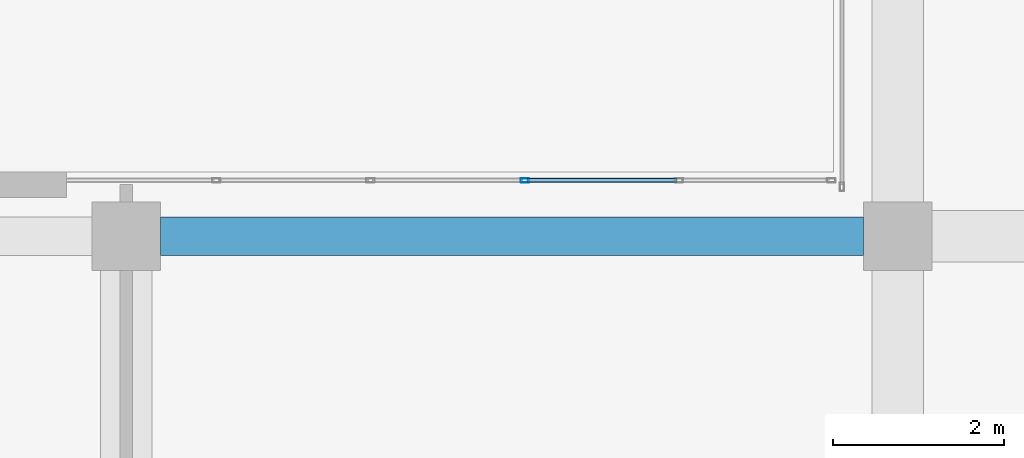
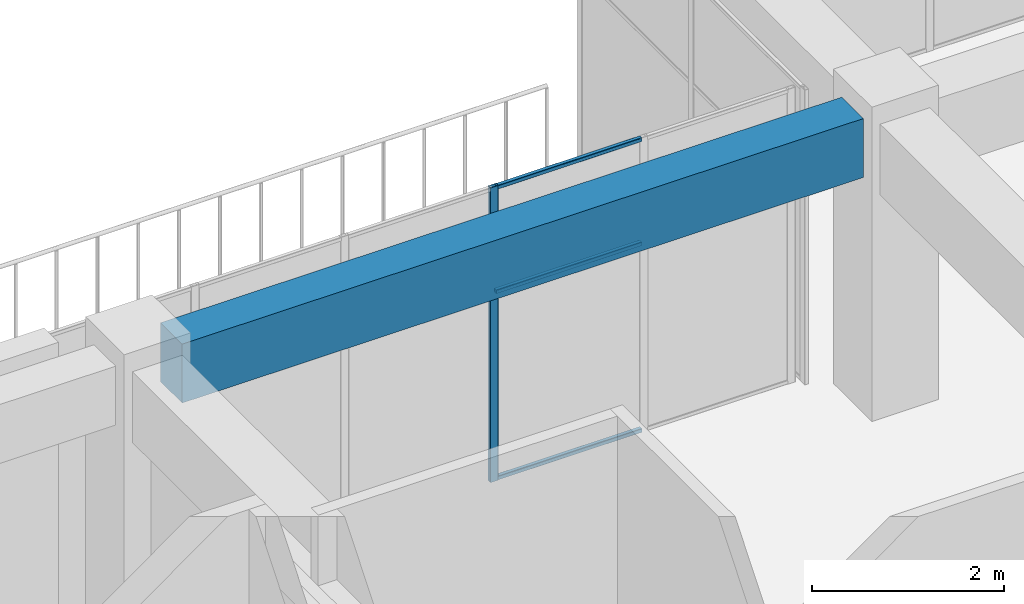
# One storey, part 47 of 81: 4 members, 1 beam, 1 element without a shape of its own.
"""IFC4 building model written with IfcOpenShell, lengths in metres."""

from ifc_helpers import new_model, si_unit, direction, frame, origin, origin_2d, place, context, subcontext, project, spatial, rectangle, hollow_rectangle, extrude, material, layer, layer_set, material_profile, profile_set, type_object, element, aggregate, save


model = new_model("IFC4")

# Units and contexts
model_context = context("Model", 3, precision=1e-05, world=origin(), true_north=direction((0.0, 1.0)))
body_context = subcontext(model_context, "Body", "Model", "MODEL_VIEW")
ifc_project = project(units=[si_unit("LENGTHUNIT", "METRE"), si_unit("AREAUNIT", "SQUARE_METRE"), si_unit("VOLUMEUNIT", "CUBIC_METRE"), si_unit("PLANEANGLEUNIT", "RADIAN"), si_unit("MASSUNIT", "GRAM", prefix="KILO")], contexts=[model_context])

# Site, building, storey
site_placement = place(None, origin())
site = spatial("IfcSite", under=ifc_project, at=site_placement, CompositionType="ELEMENT")
building_placement = place(site_placement, origin())
building = spatial("IfcBuilding", under=site, at=building_placement, Name="Tuart Plaza Theatre", CompositionType="ELEMENT")
storey_placement = place(building_placement, frame((0.0, 0.0, 17.5)))
storey = spatial("IfcBuildingStorey", under=building, at=storey_placement, Name="L04", CompositionType="ELEMENT", Elevation=17.5)

# Beam
ifc_material_1 = material(Name="Concrete N40 (40 MPa)", Category="concrete")
ifc_material_profile_1 = material_profile(ifc_material_1, rectangle(XDim=0.449951171875, YDim=0.75, at=origin_2d()), Name="BEAM 450x750 Concrete N40 (40 MPa)")
ifc_profile_set_1 = profile_set([ifc_material_profile_1], Name="Concrete N40 (40 MPa)")
beam_type = type_object("IfcBeamType", Name="BEAM 450x750 Concrete N40 (40 MPa)", PredefinedType="BEAM", material=ifc_profile_set_1)
beam_placement = place(storey_placement, frame((123.39990234375, 92.0, 3.375), z_axis=(1.0, 0.0, 0.0), x_axis=(0.0, 1.0, 0.0)))
element("IfcBeam", 1, at=beam_placement, inside=storey, type_object=beam_type, Name="RB219", PredefinedType="BEAM", context=body_context, shape_type="SweptSolid", body=[
    extrude(rectangle(XDim=0.449951171875, YDim=0.75, at=origin_2d()), origin(), (0.0, 0.0, 1.0), 8.2001953125),
])

# Curtain wall, members
ifc_material_2 = material(Name="Aluminium and glass", Category="aluminium")
ifc_layer = layer(ifc_material_2, 0.10009765625)
ifc_layer_set = layer_set([ifc_layer], Name="CURTAIN WALL 1800 module")
curtain_wall_type = type_object("IfcCurtainWallType", Name="CURTAIN WALL 1800 module", PredefinedType="NOTDEFINED", material=ifc_layer_set)
curtain_wall_placement = place(storey_placement, origin())
curtain_wall = element("IfcCurtainWall", 2, at=curtain_wall_placement, inside=storey, type_object=curtain_wall_type, Name="CW84", PredefinedType="NOTDEFINED")
ifc_material_3 = material(Name="Aluminium 6063-T5", Category="aluminium")
ifc_material_profile_2 = material_profile(ifc_material_3, hollow_rectangle(XDim=0.050048828125, YDim=0.10009765625, WallThickness=0.00390625, InnerFilletRadius=0.00390625, OuterFilletRadius=0.008056640625, at=origin_2d()), Name="RHS 100x50x4")
ifc_profile_set_2 = profile_set([ifc_material_profile_2], Name="Aluminium 6063-T5")
member_type_1 = type_object("IfcMemberType", Name="MULLION RHS 100x50x4", PredefinedType="MULLION", material=ifc_profile_set_2)
member_1_placement = place(storey_placement, frame((127.64990234375, 92.64990234375, 0.0), z_axis=(0.0, 0.0, 1.0), x_axis=(0.0, -1.0, 0.0)))
member_1 = element("IfcMember", 3, at=member_1_placement, type_object=member_type_1, Name="CW84 mullion 3", PredefinedType="MULLION", context=body_context, shape_type="SweptSolid", body=[
    extrude(hollow_rectangle(XDim=0.050048828125, YDim=0.10009765625, WallThickness=0.00390625, InnerFilletRadius=0.00390625, OuterFilletRadius=0.008056640625, at=origin_2d()), origin(), (0.0, 0.0, 1.0), 3.75),
])
ifc_material_4 = material(Name="Aluminium 6063-T5", Category="aluminium")
ifc_material_profile_3 = material_profile(ifc_material_4, hollow_rectangle(XDim=0.050048828125, YDim=0.050048828125, WallThickness=0.00390625, InnerFilletRadius=0.00390625, OuterFilletRadius=0.008056640625, at=origin_2d()), Name="RHS 50x50x4")
ifc_profile_set_3 = profile_set([ifc_material_profile_3], Name="Aluminium 6063-T5")
member_type_2 = type_object("IfcMemberType", Name="TRANSOM RHS 50x50x4", PredefinedType="USERDEFINED", material=ifc_profile_set_3)
member_2_placement = place(storey_placement, frame((129.425048828125, 92.64990234375, 0.02490234375), z_axis=(-1.0, 0.0, 0.0), x_axis=(0.0, -1.0, 0.0)))
member_2 = element("IfcMember", 4, at=member_2_placement, type_object=member_type_2, Name="CW84 transom 2.1", ObjectType="TRANSOM", PredefinedType="USERDEFINED", context=body_context, shape_type="SweptSolid", body=[
    extrude(hollow_rectangle(XDim=0.050048828125, YDim=0.050048828125, WallThickness=0.00390625, InnerFilletRadius=0.00390625, OuterFilletRadius=0.008056640625, at=origin_2d()), origin(), (0.0, 0.0, 1.0), 1.75),
])
member_3_placement = place(storey_placement, frame((129.425048828125, 92.64990234375, 2.39990234375), z_axis=(-1.0, 0.0, 0.0), x_axis=(0.0, -1.0, 0.0)))
member_3 = element("IfcMember", 5, at=member_3_placement, type_object=member_type_2, Name="CW84 transom 2.2", ObjectType="TRANSOM", PredefinedType="USERDEFINED", context=body_context, shape_type="SweptSolid", body=[
    extrude(hollow_rectangle(XDim=0.050048828125, YDim=0.050048828125, WallThickness=0.00390625, InnerFilletRadius=0.00390625, OuterFilletRadius=0.008056640625, at=origin_2d()), origin(), (0.0, 0.0, 1.0), 1.75),
])
member_4_placement = place(storey_placement, frame((129.425048828125, 92.64990234375, 3.72509765625), z_axis=(-1.0, 0.0, 0.0), x_axis=(0.0, -1.0, 0.0)))
member_4 = element("IfcMember", 6, at=member_4_placement, type_object=member_type_2, Name="CW84 transom 2.3", ObjectType="TRANSOM", PredefinedType="USERDEFINED", context=body_context, shape_type="SweptSolid", body=[
    extrude(hollow_rectangle(XDim=0.050048828125, YDim=0.050048828125, WallThickness=0.00390625, InnerFilletRadius=0.00390625, OuterFilletRadius=0.008056640625, at=origin_2d()), origin(), (0.0, 0.0, 1.0), 1.75),
])
aggregate(curtain_wall, [member_1, member_2, member_3, member_4])

save(model, "model.ifc")
